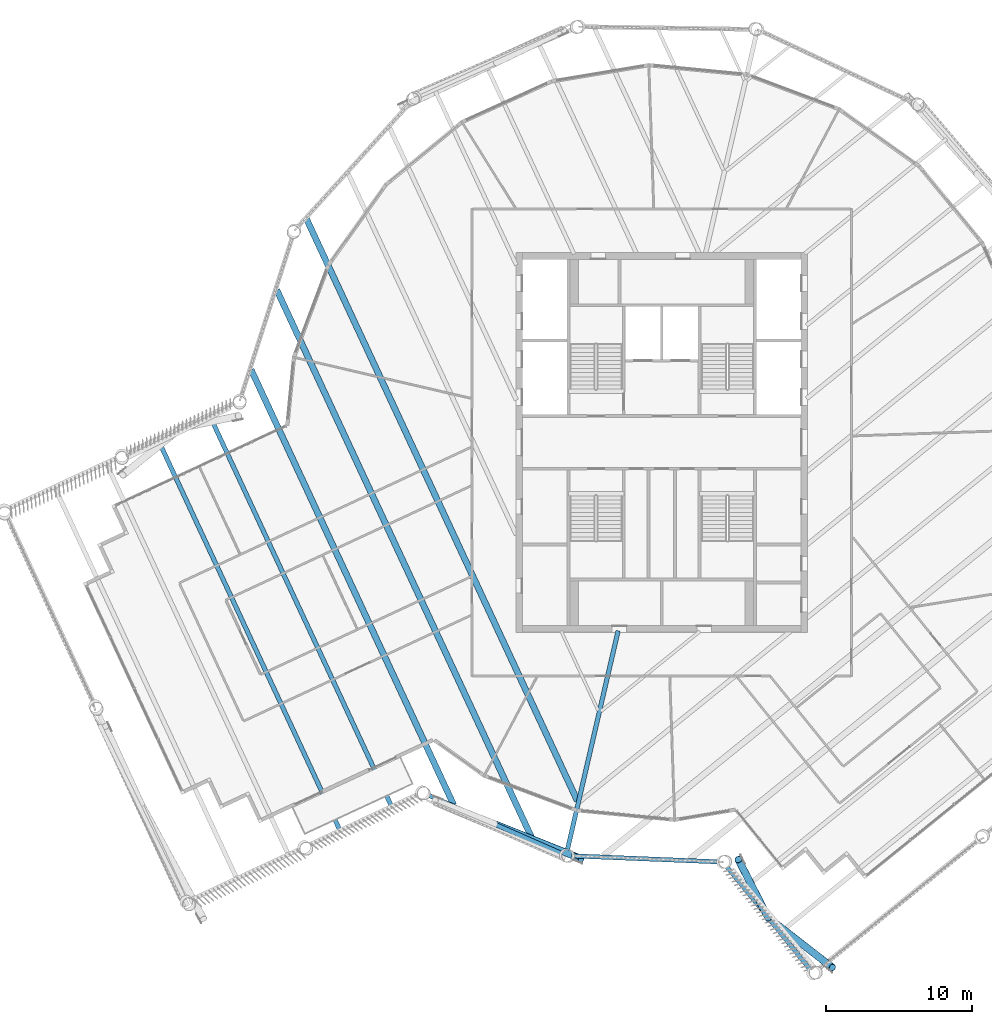
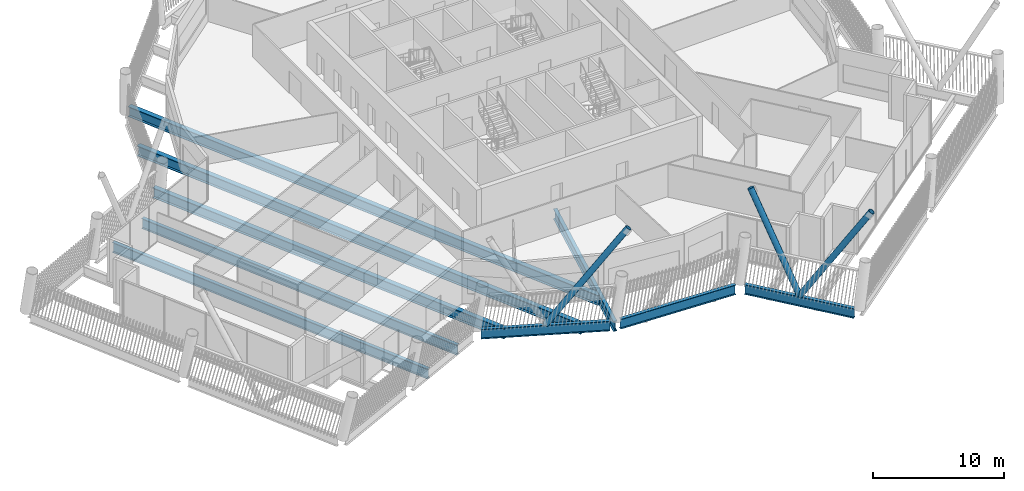
# One storey, part 7 of 36: 9 beams, 3 members.
"""IFC4 building model written with IfcOpenShell, lengths in metres."""

from ifc_helpers import new_model, si_unit, direction, frame, origin, origin_2d, place, context, subcontext, project, spatial, hollow_circle, i_section, extrude, material, material_profile, profile_set, type_object, element, save


model = new_model("IFC4")

# Units and contexts
model_context = context("Model", 3, precision=1e-05, world=origin(), true_north=direction((0.0, 1.0)))
body_context = subcontext(model_context, "Body", "Model", "MODEL_VIEW")
ifc_project = project(units=[si_unit("LENGTHUNIT", "METRE"), si_unit("AREAUNIT", "SQUARE_METRE"), si_unit("VOLUMEUNIT", "CUBIC_METRE"), si_unit("PLANEANGLEUNIT", "RADIAN"), si_unit("MASSUNIT", "GRAM", prefix="KILO")], contexts=[model_context])

# Site, building, storey
site_placement = place(None, origin())
site = spatial("IfcSite", under=ifc_project, at=site_placement, CompositionType="ELEMENT")
building_placement = place(site_placement, origin())
building = spatial("IfcBuilding", under=site, at=building_placement, Name="Tarsis Ring Headquarters", CompositionType="ELEMENT")
storey_placement = place(building_placement, frame((0.0, 0.0, 386.0)))
storey = spatial("IfcBuildingStorey", under=building, at=storey_placement, Name="L91", CompositionType="ELEMENT", Elevation=386.0)

# Beams
ifc_material = material(Name="Structural steel S355", Category="steel")
ifc_material_profile_1 = material_profile(ifc_material, i_section(OverallWidth=0.309814453125, OverallDepth=0.949951171875, WebThickness=0.0244140625, FlangeThickness=0.0439453125, at=origin_2d()), Name="W36x256")
ifc_profile_set_1 = profile_set([ifc_material_profile_1], Name="Structural steel S355")
beam_type_1 = type_object("IfcBeamType", Name="FB Floor beam W36x256", PredefinedType="JOIST", material=ifc_profile_set_1)
for number, where, z_axis, x_axis, name in (
    (1, (-30.9736328125, 1.85009765625, -0.635009765625), (0.421984421598, -0.9066030818, 0.0), (0.9066030818, 0.421984421598, 0.0), "Floor beam FB11"),
    (2, (-34.50927734375, 0.204345703125, -0.635009765625), (0.421984421598, -0.9066030818, 0.0), (0.9066030818, 0.421984421598, 0.0), "Floor beam FB11"),
):
    element("IfcBeam", number, at=place(storey_placement, frame(where, z_axis=z_axis, x_axis=x_axis)), inside=storey, type_object=beam_type_1, Name=name, PredefinedType="JOIST", context=body_context, shape_type="SweptSolid", body=[
        extrude(i_section(OverallWidth=0.309814453125, OverallDepth=0.949951171875, WebThickness=0.0244140625, FlangeThickness=0.0439453125, at=origin_2d()), origin(), (0.0, 0.0, 1.0), 29.495361328125),
    ])
beam_type_2 = type_object("IfcBeamType", Name="FB Floor beam W36x256 spine", PredefinedType="BEAM", material=ifc_profile_set_1)
beam_1_placement = place(storey_placement, frame((-2.98828125, -12.902587890625, -0.635009765625), z_axis=(-0.225625895823, -0.974214019163, 0.0), x_axis=(0.974214019163, -0.225625895823, 0.0)))
element("IfcBeam", 3, at=beam_1_placement, inside=storey, type_object=beam_type_2, Name="Floor beam SB11", PredefinedType="BEAM", context=body_context, shape_type="SweptSolid", body=[
    extrude(i_section(OverallWidth=0.309814453125, OverallDepth=0.949951171875, WebThickness=0.0244140625, FlangeThickness=0.0439453125, at=origin_2d()), origin(), (0.0, 0.0, 1.0), 15.749267578125),
])
ifc_material_profile_2 = material_profile(ifc_material, i_section(OverallWidth=0.42431640625, OverallDepth=0.947509765625, WebThickness=0.02392578125, FlangeThickness=0.042724609375, at=origin_2d()), Name="W36x302")
ifc_profile_set_2 = profile_set([ifc_material_profile_2], Name="Structural steel S355")
beam_type_3 = type_object("IfcBeamType", Name="FB Floor beam W36x302", PredefinedType="JOIST", material=ifc_profile_set_2)
beam_2_placement = place(storey_placement, frame((-24.343994140625, 15.333251953125, -0.6337890625), z_axis=(0.421983178185, -0.906603660553, 0.0), x_axis=(0.906603660553, 0.421983178185, 0.0)))
element("IfcBeam", 4, at=beam_2_placement, inside=storey, type_object=beam_type_3, Name="Floor beam FB12", PredefinedType="JOIST", context=body_context, shape_type="SweptSolid", body=[
    extrude(i_section(OverallWidth=0.42431640625, OverallDepth=0.947509765625, WebThickness=0.02392578125, FlangeThickness=0.042724609375, at=origin_2d()), origin(), (0.0, 0.0, 1.0), 43.9892578125),
])
beam_3_placement = place(storey_placement, frame((-26.3759765625, 10.45654296875, -0.6337890625), z_axis=(0.421984180741, -0.906603193908, 0.0), x_axis=(0.906603193908, 0.421984180741, 0.0)))
element("IfcBeam", 5, at=beam_3_placement, inside=storey, type_object=beam_type_3, Name="Floor beam FB12", PredefinedType="JOIST", context=body_context, shape_type="SweptSolid", body=[
    extrude(i_section(OverallWidth=0.42431640625, OverallDepth=0.947509765625, WebThickness=0.02392578125, FlangeThickness=0.042724609375, at=origin_2d()), origin(), (0.0, 0.0, 1.0), 41.531494140625),
])
beam_4_placement = place(storey_placement, frame((-28.134521484375, 4.99267578125, -0.6337890625), z_axis=(0.421987811533, -0.906601503924, 0.0), x_axis=(0.906601503924, 0.421987811533, 0.0)))
element("IfcBeam", 6, at=beam_4_placement, inside=storey, type_object=beam_type_3, Name="Floor beam FB12", PredefinedType="JOIST", context=body_context, shape_type="SweptSolid", body=[
    extrude(i_section(OverallWidth=0.42431640625, OverallDepth=0.947509765625, WebThickness=0.02392578125, FlangeThickness=0.042724609375, at=origin_2d()), origin(), (0.0, 0.0, 1.0), 32.883056640625),
])

# Members
ifc_material_profile_3 = material_profile(ifc_material, hollow_circle(Radius=0.25390625, WallThickness=0.02001953125, at=origin_2d()), Name="CHS 508x20")
ifc_profile_set_3 = profile_set([ifc_material_profile_3], Name="Structural steel S355")
member_type = type_object("IfcMemberType", Name="XD X brace CHS 508x20", PredefinedType="BRACE", material=ifc_profile_set_3)
member_1_placement = place(storey_placement, frame((7.290771484375, -32.553955078125, 0.0), z_axis=(0.436255663744, -0.338580337119, 0.833693199665), x_axis=(0.613117047747, 0.789992079556, 0.0)))
element("IfcMember", 7, at=member_1_placement, inside=storey, type_object=member_type, Name="X brace XD2", PredefinedType="BRACE", context=body_context, shape_type="SweptSolid", body=[
    extrude(hollow_circle(Radius=0.25390625, WallThickness=0.02001953125, at=origin_2d()), origin(), (0.0, 0.0, 1.0), 10.075439453125),
])
member_2_placement = place(storey_placement, frame((7.290771484375, -32.553955078125, 0.0), z_axis=(-0.214533920891, 0.41852582343, 0.882502879264), x_axis=(-0.889899213188, -0.456157199185, 0.0)))
element("IfcMember", 8, at=member_2_placement, inside=storey, type_object=member_type, Name="X brace XD2", PredefinedType="BRACE", context=body_context, shape_type="SweptSolid", body=[
    extrude(hollow_circle(Radius=0.25390625, WallThickness=0.02001953125, at=origin_2d()), origin(), (0.0, 0.0, 1.0), 9.518310546875),
])
member_3_placement = place(storey_placement, frame((-11.48486328125, -26.132568359375, 0.0), z_axis=(0.563878158957, -0.225657477068, 0.794430692317), x_axis=(0.37154142905, 0.928416375609, 0.0)))
element("IfcMember", 9, at=member_3_placement, inside=storey, type_object=member_type, Name="X brace XD2", PredefinedType="BRACE", context=body_context, shape_type="SweptSolid", body=[
    extrude(hollow_circle(Radius=0.25390625, WallThickness=0.02001953125, at=origin_2d()), origin(), (0.0, 0.0, 1.0), 10.573486328125),
])

# Beams
ifc_material_profile_4 = material_profile(ifc_material, i_section(OverallWidth=0.3046875, OverallDepth=0.91943359375, WebThickness=0.017333984375, FlangeThickness=0.02783203125, at=origin_2d()), Name="W36x170")
ifc_profile_set_4 = profile_set([ifc_material_profile_4], Name="Structural steel S355")
beam_type_4 = type_object("IfcBeamType", Name="XG Ring girder W36x170", PredefinedType="BEAM", material=ifc_profile_set_4)
beam_5_placement = place(storey_placement, frame((-6.14306640625, -28.31640625, -0.459716796875), z_axis=(0.999155845684, -0.041080360694, 0.0), x_axis=(0.041080360694, 0.999155845684, 0.0)))
element("IfcBeam", 10, at=beam_5_placement, inside=storey, type_object=beam_type_4, Name="Ring girder XG4", PredefinedType="BEAM", context=body_context, shape_type="SweptSolid", body=[
    extrude(i_section(OverallWidth=0.3046875, OverallDepth=0.91943359375, WebThickness=0.017333984375, FlangeThickness=0.02783203125, at=origin_2d()), origin(), (0.0, 0.0, 1.0), 9.948486328125),
])
beam_6_placement = place(storey_placement, frame((4.467041015625, -29.06201171875, -0.459716796875), z_axis=(0.628783700433, -0.777580258282, 0.0), x_axis=(0.777580258282, 0.628783700433, 0.0)))
element("IfcBeam", 11, at=beam_6_placement, inside=storey, type_object=beam_type_4, Name="Ring girder XG4", PredefinedType="BEAM", context=body_context, shape_type="SweptSolid", body=[
    extrude(i_section(OverallWidth=0.3046875, OverallDepth=0.91943359375, WebThickness=0.017333984375, FlangeThickness=0.02783203125, at=origin_2d()), origin(), (0.0, 0.0, 1.0), 8.9814453125),
])
beam_7_placement = place(storey_placement, frame((-16.038818359375, -24.131103515625, -0.459716796875), z_axis=(0.915492612294, -0.402334782034, 0.0), x_axis=(0.402334782034, 0.915492612294, 0.0)))
element("IfcBeam", 12, at=beam_7_placement, inside=storey, type_object=beam_type_4, Name="Ring girder XG4", PredefinedType="BEAM", context=body_context, shape_type="SweptSolid", body=[
    extrude(i_section(OverallWidth=0.3046875, OverallDepth=0.91943359375, WebThickness=0.017333984375, FlangeThickness=0.02783203125, at=origin_2d()), origin(), (0.0, 0.0, 1.0), 9.94873046875),
])

save(model, "model.ifc")
